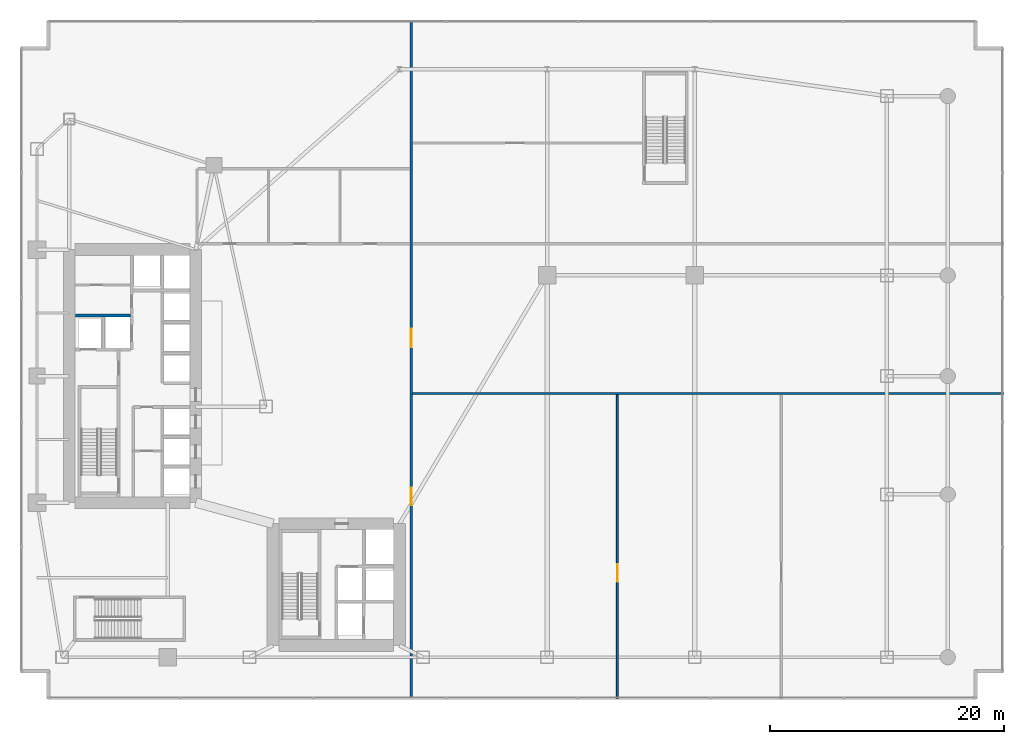
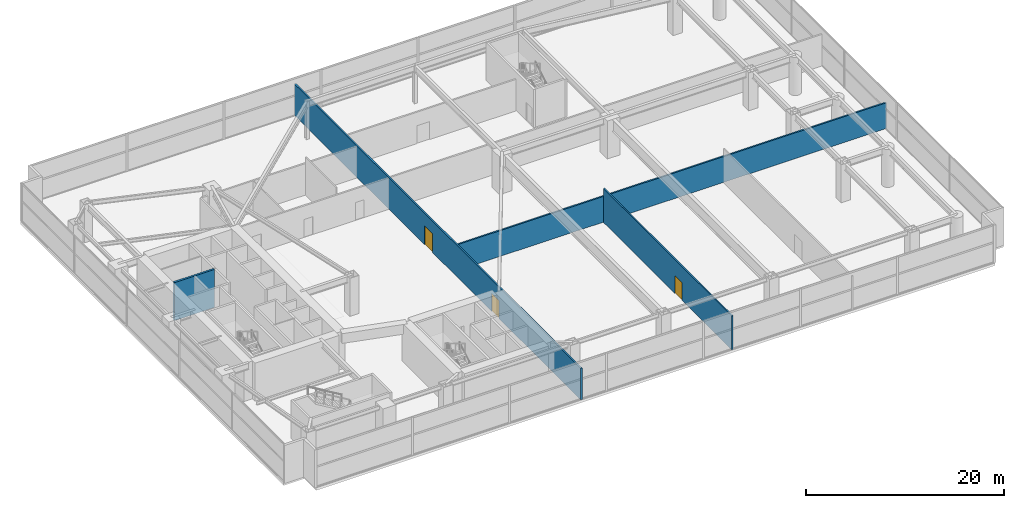
# One storey, part 31 of 35: 4 walls, 3 doors, 3 openings.
"""IFC4 building model written with IfcOpenShell, lengths in metres."""

from ifc_helpers import new_model, si_unit, direction, frame, frame_2d, origin, place, context, subcontext, project, spatial, rectangle, extrude, material, layer, layer_set, type_object, element, fill, save


model = new_model("IFC4")

# Units and contexts
model_context = context("Model", 3, precision=1e-05, world=origin(), true_north=direction((0.0, 1.0)))
body_context = subcontext(model_context, "Body", "Model", "MODEL_VIEW")
ifc_project = project(units=[si_unit("LENGTHUNIT", "METRE"), si_unit("AREAUNIT", "SQUARE_METRE"), si_unit("VOLUMEUNIT", "CUBIC_METRE"), si_unit("PLANEANGLEUNIT", "RADIAN"), si_unit("MASSUNIT", "GRAM", prefix="KILO")], contexts=[model_context])

# Site, building, storey
site_placement = place(None, origin())
site = spatial("IfcSite", under=ifc_project, at=site_placement, CompositionType="ELEMENT")
building_placement = place(site_placement, origin())
building = spatial("IfcBuilding", under=site, at=building_placement, Name="Calvorn Quay Hotel", CompositionType="ELEMENT")
storey_placement = place(building_placement, frame((0.0, 0.0, 12.0)))
storey = spatial("IfcBuildingStorey", under=building, at=storey_placement, Name="L02", CompositionType="ELEMENT", Elevation=12.0)

# Wall, openings, doors
ifc_material_1 = material(Name="Acoustic Fireboard Steel-Stud Partition", Category="steel")
ifc_layer_1 = layer(ifc_material_1, 0.179931640625)
ifc_layer_set_1 = layer_set([ifc_layer_1], Name="WL-CORR-FIRE-180")
wall_type_1 = type_object("IfcWallType", Name="WL-CORR-FIRE-180", PredefinedType="PARTITIONING", material=ifc_layer_set_1)
wall_1_placement = place(storey_placement, frame((33.39990234375, 0.06005859375, 0.0), z_axis=(0.0, 0.0, 1.0), x_axis=(0.0, 1.0, 0.0)))
wall_1 = element("IfcWall", 1, at=wall_1_placement, inside=storey, type_object=wall_type_1, Name="Partition Wall L02-WL-L02-CF-W", PredefinedType="PARTITIONING", context=body_context, shape_type="SweptSolid", body=[
    extrude(rectangle(XDim=57.8798828125, YDim=0.179931640625, at=frame_2d((28.93994140625, 0.0))), origin(), (0.0, 0.0, 1.0), 3.8798828125),
])
opening_1_placement = place(wall_1_placement, frame((16.5, 0.0, 0.0)))
opening_1 = element("IfcOpeningElement", 2, at=opening_1_placement, cuts=wall_1, Name="Opening D-L02-01", PredefinedType="OPENING", context=body_context, shape_type="SweptSolid", body=[
    extrude(rectangle(XDim=1.5, YDim=2.219970703125, at=frame_2d((0.75, 1.10986328125))), frame((0.0, 0.099853515625, 0.0), z_axis=(0.0, -1.0, 0.0), x_axis=(1.0, 0.0, 0.0)), (0.0, 0.0, 1.0), 0.199951171875),
])
opening_2_placement = place(wall_1_placement, frame((30.0, 0.0, 0.0)))
opening_2 = element("IfcOpeningElement", 3, at=opening_2_placement, cuts=wall_1, Name="Opening D-L02-02", PredefinedType="OPENING", context=body_context, shape_type="SweptSolid", body=[
    extrude(rectangle(XDim=1.60009765625, YDim=2.35009765625, at=frame_2d((0.800048828125, 1.175048828125))), frame((0.0, 0.099853515625, 0.0), z_axis=(0.0, -1.0, 0.0), x_axis=(1.0, 0.0, 0.0)), (0.0, 0.0, 1.0), 0.199951171875),
])
ifc_material_2 = material(Name="Heavy-Duty Steel Acoustic Plant Fire Door", Category="steel")
door_type_1 = type_object("IfcDoorType", Name="DR-PLANT-DBL-1600", OperationType="NOTDEFINED", PredefinedType="DOOR", material=ifc_material_2)
door_1_placement = place(opening_2_placement, origin())
door_1 = element("IfcDoor", 4, at=door_1_placement, inside=storey, type_object=door_type_1, Name="Interpretation AV Plant Door", OperationType="SINGLE_SWING_RIGHT", OverallHeight=2.35009765625, OverallWidth=1.60009765625, PredefinedType="DOOR", context=body_context, shape_type="SweptSolid", body=[
    extrude(rectangle(XDim=1.60009765625, YDim=2.35009765625, at=frame_2d((0.800048828125, 1.175048828125))), frame((0.0, 0.02490234375, 0.0), z_axis=(0.0, -1.0, 0.0), x_axis=(1.0, 0.0, 0.0)), (0.0, 0.0, 1.0), 0.050048828125),
])
fill(opening_2, door_1)
ifc_material_3 = material(Name="Solid-Core Walnut Double Suite Entry Door")
door_type_2 = type_object("IfcDoorType", Name="DR-SUITE-DBL-1500", OperationType="NOTDEFINED", PredefinedType="DOOR", material=ifc_material_3)
door_2_placement = place(opening_1_placement, origin())
door_2 = element("IfcDoor", 5, at=door_2_placement, inside=storey, type_object=door_type_2, Name="Conference Hall Door", OperationType="SINGLE_SWING_LEFT", OverallHeight=2.219970703125, OverallWidth=1.5, PredefinedType="DOOR", context=body_context, shape_type="SweptSolid", body=[
    extrude(rectangle(XDim=1.5, YDim=2.219970703125, at=frame_2d((0.75, 1.10986328125))), frame((0.0, 0.02490234375, 0.0), z_axis=(0.0, -1.0, 0.0), x_axis=(1.0, 0.0, 0.0)), (0.0, 0.0, 1.0), 0.050048828125),
])
fill(opening_1, door_2)

# Wall
wall_2_placement = place(storey_placement, frame((33.52001953125, 26.10009765625, 0.0), z_axis=(0.0, 0.0, 1.0), x_axis=(1.0, 0.0, 0.0)))
element("IfcWall", 6, at=wall_2_placement, inside=storey, type_object=wall_type_1, Name="Partition Wall L02-WL-L02-CF-H", PredefinedType="PARTITIONING", context=body_context, shape_type="SweptSolid", body=[
    extrude(rectangle(XDim=50.419921875, YDim=0.179931640625, at=frame_2d((25.2099609375, 0.0))), origin(), (0.0, 0.0, 1.0), 3.179931640625),
])

# Wall, opening, door
ifc_material_4 = material(Name="Double-Stud Acoustic Gypsum Partition")
ifc_layer_2 = layer(ifc_material_4, 0.159912109375)
ifc_layer_set_2 = layer_set([ifc_layer_2], Name="WL-INTERSUITE-160")
wall_type_2 = type_object("IfcWallType", Name="WL-INTERSUITE-160", PredefinedType="PARTITIONING", material=ifc_layer_set_2)
wall_3_placement = place(storey_placement, frame((51.0, 0.06005859375, 0.0), z_axis=(0.0, 0.0, 1.0), x_axis=(0.0, 1.0, 0.0)))
wall_3 = element("IfcWall", 7, at=wall_3_placement, inside=storey, type_object=wall_type_2, Name="Partition Wall L02-WL-L02-CF-M", PredefinedType="PARTITIONING", context=body_context, shape_type="SweptSolid", body=[
    extrude(rectangle(XDim=25.93994140625, YDim=0.159912109375, at=frame_2d((12.969970703125, 0.0))), origin(), (0.0, 0.0, 1.0), 4.179931640625),
])
opening_3_placement = place(wall_3_placement, frame((10.0, 0.0, 0.0)))
opening_3 = element("IfcOpeningElement", 8, at=opening_3_placement, cuts=wall_3, Name="Opening D-L02-03", PredefinedType="OPENING", context=body_context, shape_type="SweptSolid", body=[
    extrude(rectangle(XDim=1.5, YDim=2.219970703125, at=frame_2d((0.75, 1.10986328125))), frame((0.0, 0.08984375, 0.0), z_axis=(0.0, -1.0, 0.0), x_axis=(1.0, 0.0, 0.0)), (0.0, 0.0, 1.0), 0.179931640625),
])
door_3_placement = place(opening_3_placement, origin())
door_3 = element("IfcDoor", 9, at=door_3_placement, inside=storey, type_object=door_type_2, Name="Boardroom Door", OperationType="SINGLE_SWING_LEFT", OverallHeight=2.219970703125, OverallWidth=1.5, PredefinedType="DOOR", context=body_context, shape_type="SweptSolid", body=[
    extrude(rectangle(XDim=1.5, YDim=2.219970703125, at=frame_2d((0.75, 1.10986328125))), frame((0.0, 0.02490234375, 0.0), z_axis=(0.0, -1.0, 0.0), x_axis=(1.0, 0.0, 0.0)), (0.0, 0.0, 1.0), 0.050048828125),
])
fill(opening_3, door_3)

# Wall
ifc_material_5 = material(Name="Concrete C40", Category="concrete")
ifc_layer_3 = layer(ifc_material_5, 0.239990234375)
ifc_layer_set_3 = layer_set([ifc_layer_3], Name="WL-SHAFT-240")
wall_type_3 = type_object("IfcWallType", Name="WL-SHAFT-240", PredefinedType="SOLIDWALL", material=ifc_layer_set_3)
wall_4_placement = place(storey_placement, frame((4.719970703125, 32.780029296875, 0.0), z_axis=(0.0, 0.0, 1.0), x_axis=(1.0, 0.0, 0.0)))
element("IfcWall", 10, at=wall_4_placement, inside=storey, type_object=wall_type_3, Name="Partition Wall L02-WL-CWW-SLW-N", PredefinedType="SOLIDWALL", context=body_context, shape_type="SweptSolid", body=[
    extrude(rectangle(XDim=4.699951171875, YDim=0.239990234375, at=frame_2d((2.35009765625, 0.0))), origin(), (0.0, 0.0, 1.0), 4.679931640625),
])

save(model, "model.ifc")
